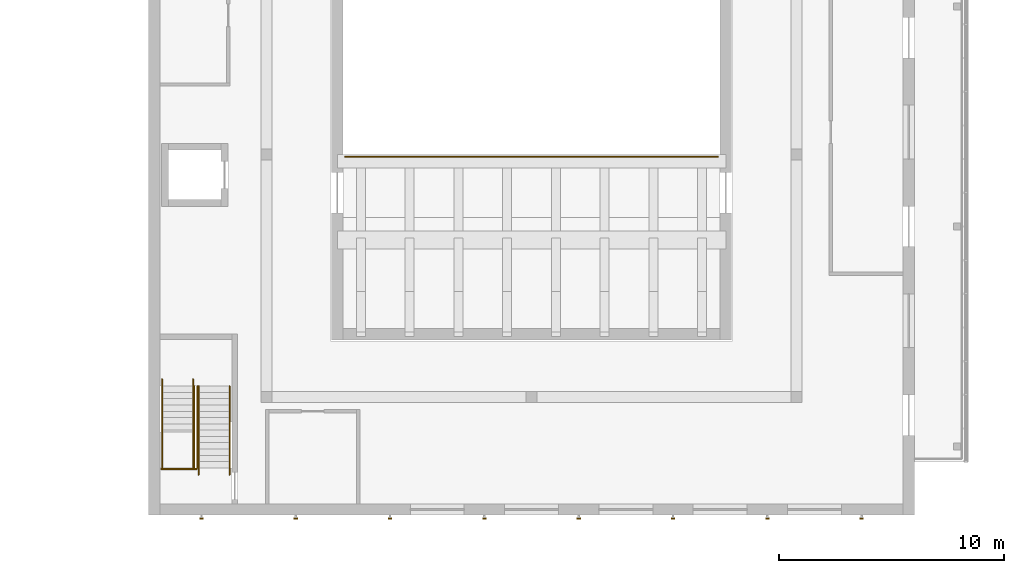
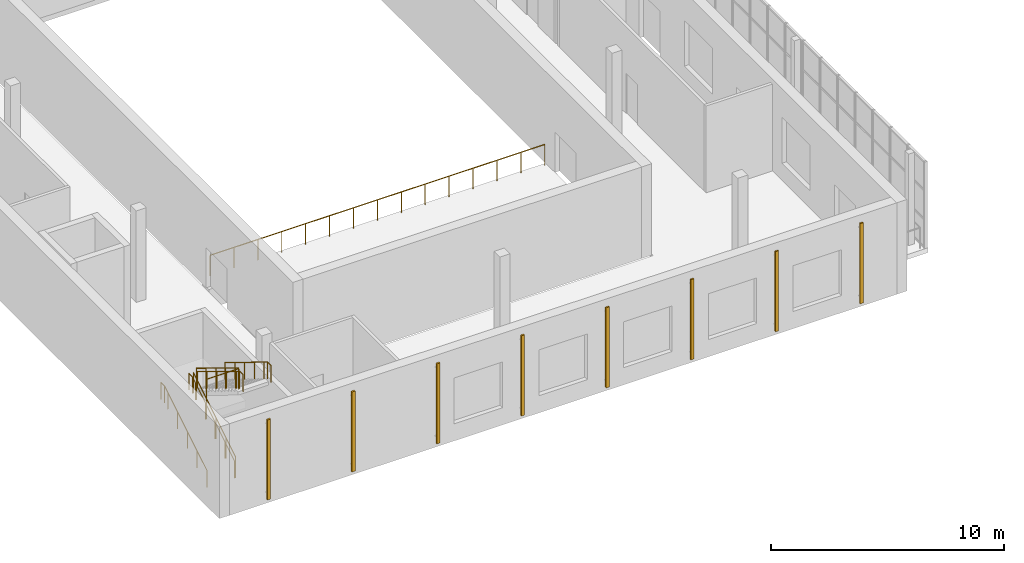
# One storey, part 107 of 127: 8 railings, 8 shading devices.
"""IFC4 building model written with IfcOpenShell, lengths in metres."""

from ifc_helpers import new_model, si_unit, direction, frame, origin, origin_2d, place, context, subcontext, project, spatial, rectangle, circle, extrude, material, type_object, element, save


model = new_model("IFC4")

# Units and contexts
model_context = context("Model", 3, precision=1e-05, world=origin(), true_north=direction((0.0, 1.0)))
body_context = subcontext(model_context, "Body", "Model", "MODEL_VIEW")
ifc_project = project(units=[si_unit("LENGTHUNIT", "METRE"), si_unit("AREAUNIT", "SQUARE_METRE"), si_unit("VOLUMEUNIT", "CUBIC_METRE"), si_unit("PLANEANGLEUNIT", "RADIAN"), si_unit("MASSUNIT", "GRAM", prefix="KILO")], contexts=[model_context])

# Site, building, storey
site_placement = place(None, origin())
site = spatial("IfcSite", under=ifc_project, at=site_placement, CompositionType="ELEMENT")
building_placement = place(site_placement, origin())
building = spatial("IfcBuilding", under=site, at=building_placement, Name="Ljudholm Concert House", CompositionType="ELEMENT")
storey_placement = place(building_placement, frame((0.0, 0.0, 5.39990234375)))
storey = spatial("IfcBuildingStorey", under=building, at=storey_placement, Name="L01", CompositionType="ELEMENT", Elevation=5.39990234375)

# Shading devices
ifc_material_1 = material(Name="Aluminium extrusion with timber-grain PVDF finish", Category="aluminium")
shading_device_type = type_object("IfcShadingDeviceType", Name="FACADE FIN 80x160", PredefinedType="SHUTTER", material=ifc_material_1)
for number, where, z_axis, x_axis, name in (
    (1, (14.5, 3.590087890625, 0.30029296875), (0.0, 0.0, 1.0), (0.0, -1.0, 0.0), "Facade fin"),
    (2, (18.699951171875, 3.590087890625, 0.30029296875), (0.0, 0.0, 1.0), (0.0, -1.0, 0.0), "Facade fin"),
    (3, (22.89990234375, 3.590087890625, 0.30029296875), (0.0, 0.0, 1.0), (0.0, -1.0, 0.0), "Facade fin"),
    (4, (27.10009765625, 3.590087890625, 0.30029296875), (0.0, 0.0, 1.0), (0.0, -1.0, 0.0), "Facade fin"),
    (5, (31.300048828125, 3.590087890625, 0.30029296875), (0.0, 0.0, 1.0), (0.0, -1.0, 0.0), "Facade fin"),
    (6, (35.5, 3.590087890625, 0.30029296875), (0.0, 0.0, 1.0), (0.0, -1.0, 0.0), "Facade fin"),
    (7, (39.699951171875, 3.590087890625, 0.30029296875), (0.0, 0.0, 1.0), (0.0, -1.0, 0.0), "Facade fin"),
    (8, (43.89990234375, 3.590087890625, 0.30029296875), (0.0, 0.0, 1.0), (0.0, -1.0, 0.0), "Facade fin"),
):
    element("IfcShadingDevice", number, at=place(storey_placement, frame(where, z_axis=z_axis, x_axis=x_axis)), inside=storey, type_object=shading_device_type, Name=name, PredefinedType="SHUTTER", context=body_context, shape_type="SweptSolid", body=[
        extrude(rectangle(XDim=0.080078125, YDim=0.159912109375, at=origin_2d()), origin(), (0.0, 0.0, 1.0), 4.199951171875),
    ])

# Railings
ifc_material_2 = material(Name="Steel ASTM A36", Category="steel")
railing_type_1 = type_object("IfcRailingType", Name="GUARD 1100", PredefinedType="GUARDRAIL", material=ifc_material_2)
railing_1_placement = place(storey_placement, frame((14.175048828125, 5.85009765625, 0.171630859375)))
element("IfcRailing", 9, at=railing_1_placement, inside=storey, type_object=railing_type_1, Name="Guard", PredefinedType="GUARDRAIL", context=body_context, shape_type="SweptSolid", body=[
    extrude(circle(Radius=0.02490234375, at=origin_2d()), frame((0.0, 0.0, 1.0751953125), z_axis=(0.0, 0.85286482292, 0.522131778218), x_axis=(-1.0, 0.0, 0.0)), (0.0, 0.0, 1.0), 0.984619140625),
    extrude(circle(Radius=0.02490234375, at=origin_2d()), frame((0.0, 0.83984375, 1.58935546875), z_axis=(0.0, 0.852822021269, 0.522201685212), x_axis=(-1.0, 0.0, 0.0)), (0.0, 0.0, 1.0), 0.985107421875),
    extrude(circle(Radius=0.02490234375, at=origin_2d()), frame((0.0, 1.679931640625, 2.103515625), z_axis=(0.0, 0.852932391421, 0.522021393877), x_axis=(-1.0, 0.0, 0.0)), (0.0, 0.0, 1.0), 0.98486328125),
    extrude(circle(Radius=0.02490234375, at=origin_2d()), frame((0.0, 2.52001953125, 2.61767578125), z_axis=(0.0, 0.852754414843, 0.522312079092), x_axis=(-1.0, 0.0, 0.0)), (0.0, 0.0, 1.0), 0.98486328125),
    extrude(circle(Radius=0.02490234375, at=origin_2d()), frame((0.0, 3.35986328125, 3.13232421875), z_axis=(0.0, 0.852932391421, 0.522021393877), x_axis=(-1.0, 0.0, 0.0)), (0.0, 0.0, 1.0), 0.328369140625),
    extrude(circle(Radius=0.02099609375, at=origin_2d()), origin(), (0.0, 0.0, 1.0), 1.050048828125),
    extrude(circle(Radius=0.02099609375, at=origin_2d()), frame((0.0, 0.83984375, 0.51416015625)), (0.0, 0.0, 1.0), 1.050048828125),
    extrude(circle(Radius=0.02099609375, at=origin_2d()), frame((0.0, 1.679931640625, 1.028564453125)), (0.0, 0.0, 1.0), 1.050048828125),
    extrude(circle(Radius=0.02099609375, at=origin_2d()), frame((0.0, 2.52001953125, 1.542724609375)), (0.0, 0.0, 1.0), 1.050048828125),
    extrude(circle(Radius=0.02099609375, at=origin_2d()), frame((0.0, 3.35986328125, 2.05712890625)), (0.0, 0.0, 1.0), 1.050048828125),
    extrude(circle(Radius=0.02099609375, at=origin_2d()), frame((0.0, 3.639892578125, 2.228515625)), (0.0, 0.0, 1.0), 1.050048828125),
])
railing_2_placement = place(storey_placement, frame((14.324951171875, 9.489990234375, 2.571533203125)))
element("IfcRailing", 10, at=railing_2_placement, inside=storey, type_object=railing_type_1, Name="Guard", PredefinedType="GUARDRAIL", context=body_context, shape_type="SweptSolid", body=[
    extrude(circle(Radius=0.02490234375, at=origin_2d()), frame((0.0, 0.0, 1.0751953125), z_axis=(0.0, -0.852932391421, 0.522021393877), x_axis=(1.0, 0.0, 0.0)), (0.0, 0.0, 1.0), 0.98486328125),
    extrude(circle(Radius=0.02490234375, at=origin_2d()), frame((0.0, -0.840087890625, 1.58935546875), z_axis=(0.0, -0.852754414843, 0.522312079092), x_axis=(1.0, 0.0, 0.0)), (0.0, 0.0, 1.0), 0.98486328125),
    extrude(circle(Radius=0.02490234375, at=origin_2d()), frame((0.0, -1.679931640625, 2.103515625), z_axis=(0.0, -0.852822021269, 0.522201685212), x_axis=(1.0, 0.0, 0.0)), (0.0, 0.0, 1.0), 0.985107421875),
    extrude(circle(Radius=0.02490234375, at=origin_2d()), frame((0.0, -2.52001953125, 2.6181640625), z_axis=(0.0, -0.852932391421, 0.522021393877), x_axis=(1.0, 0.0, 0.0)), (0.0, 0.0, 1.0), 0.98486328125),
    extrude(circle(Radius=0.02490234375, at=origin_2d()), frame((0.0, -3.360107421875, 3.13232421875), z_axis=(0.0, -0.852729557261, 0.522352660731), x_axis=(1.0, 0.0, 0.0)), (0.0, 0.0, 1.0), 0.328125),
    extrude(circle(Radius=0.02099609375, at=origin_2d()), origin(), (0.0, 0.0, 1.0), 1.050048828125),
    extrude(circle(Radius=0.02099609375, at=origin_2d()), frame((0.0, -0.840087890625, 0.51416015625)), (0.0, 0.0, 1.0), 1.050048828125),
    extrude(circle(Radius=0.02099609375, at=origin_2d()), frame((0.0, -1.679931640625, 1.028564453125)), (0.0, 0.0, 1.0), 1.050048828125),
    extrude(circle(Radius=0.02099609375, at=origin_2d()), frame((0.0, -2.52001953125, 1.54296875)), (0.0, 0.0, 1.0), 1.050048828125),
    extrude(circle(Radius=0.02099609375, at=origin_2d()), frame((0.0, -3.360107421875, 2.05712890625)), (0.0, 0.0, 1.0), 1.050048828125),
    extrude(circle(Radius=0.02099609375, at=origin_2d()), frame((0.0, -3.639892578125, 2.228515625)), (0.0, 0.0, 1.0), 1.050048828125),
])
railing_3_placement = place(storey_placement, frame((14.300048828125, 5.800048828125, 4.800048828125)))
element("IfcRailing", 11, at=railing_3_placement, inside=storey, type_object=railing_type_1, Name="Guard", PredefinedType="GUARDRAIL", context=body_context, shape_type="SweptSolid", body=[
    extrude(circle(Radius=0.02490234375, at=origin_2d()), frame((0.0, 0.0, 1.0751953125), z_axis=(-1.0, 0.0, 0.0), x_axis=(0.0, -1.0, 0.0)), (0.0, 0.0, 1.0), 1.60009765625),
    extrude(circle(Radius=0.02099609375, at=origin_2d()), origin(), (0.0, 0.0, 1.0), 1.050048828125),
    extrude(circle(Radius=0.02099609375, at=origin_2d()), frame((-1.60009765625, 0.0, 0.0)), (0.0, 0.0, 1.0), 1.050048828125),
])
railing_4_placement = place(storey_placement, frame((20.89990234375, 19.699951171875, 0.0)))
element("IfcRailing", 12, at=railing_4_placement, inside=storey, type_object=railing_type_1, Name="Gallery guard", PredefinedType="GUARDRAIL", context=body_context, shape_type="SweptSolid", body=[
    extrude(circle(Radius=0.02490234375, at=origin_2d()), frame((0.0, 0.0, 1.0751953125), z_axis=(1.0, 0.0, 0.0), x_axis=(0.0, 1.0, 0.0)), (0.0, 0.0, 1.0), 16.60009765625),
    extrude(circle(Radius=0.02099609375, at=origin_2d()), origin(), (0.0, 0.0, 1.0), 1.050048828125),
    extrude(circle(Radius=0.02099609375, at=origin_2d()), frame((1.185791015625, 0.0, 0.0)), (0.0, 0.0, 1.0), 1.050048828125),
    extrude(circle(Radius=0.02099609375, at=origin_2d()), frame((2.371337890625, 0.0, 0.0)), (0.0, 0.0, 1.0), 1.050048828125),
    extrude(circle(Radius=0.02099609375, at=origin_2d()), frame((3.55712890625, 0.0, 0.0)), (0.0, 0.0, 1.0), 1.050048828125),
    extrude(circle(Radius=0.02099609375, at=origin_2d()), frame((4.742919921875, 0.0, 0.0)), (0.0, 0.0, 1.0), 1.050048828125),
    extrude(circle(Radius=0.02099609375, at=origin_2d()), frame((5.9287109375, 0.0, 0.0)), (0.0, 0.0, 1.0), 1.050048828125),
    extrude(circle(Radius=0.02099609375, at=origin_2d()), frame((7.1142578125, 0.0, 0.0)), (0.0, 0.0, 1.0), 1.050048828125),
    extrude(circle(Radius=0.02099609375, at=origin_2d()), frame((8.300048828125, 0.0, 0.0)), (0.0, 0.0, 1.0), 1.050048828125),
    extrude(circle(Radius=0.02099609375, at=origin_2d()), frame((9.48583984375, 0.0, 0.0)), (0.0, 0.0, 1.0), 1.050048828125),
    extrude(circle(Radius=0.02099609375, at=origin_2d()), frame((10.67138671875, 0.0, 0.0)), (0.0, 0.0, 1.0), 1.050048828125),
    extrude(circle(Radius=0.02099609375, at=origin_2d()), frame((11.857177734375, 0.0, 0.0)), (0.0, 0.0, 1.0), 1.050048828125),
    extrude(circle(Radius=0.02099609375, at=origin_2d()), frame((13.04296875, 0.0, 0.0)), (0.0, 0.0, 1.0), 1.050048828125),
    extrude(circle(Radius=0.02099609375, at=origin_2d()), frame((14.228759765625, 0.0, 0.0)), (0.0, 0.0, 1.0), 1.050048828125),
    extrude(circle(Radius=0.02099609375, at=origin_2d()), frame((15.414306640625, 0.0, 0.0)), (0.0, 0.0, 1.0), 1.050048828125),
    extrude(circle(Radius=0.02099609375, at=origin_2d()), frame((16.60009765625, 0.0, 0.0)), (0.0, 0.0, 1.0), 1.050048828125),
])
ifc_material_3 = material(Name="Steel ASTM A36", Category="steel")
railing_type_2 = type_object("IfcRailingType", Name="HANDRAIL 900", PredefinedType="HANDRAIL", material=ifc_material_3)
railing_5_placement = place(storey_placement, frame((12.75, 5.85009765625, 0.171630859375)))
element("IfcRailing", 13, at=railing_5_placement, inside=storey, type_object=railing_type_2, Name="Handrail", PredefinedType="HANDRAIL", context=body_context, shape_type="SweptSolid", body=[
    extrude(circle(Radius=0.0224609375, at=origin_2d()), frame((0.0, 0.0, 0.87744140625), z_axis=(0.0, 0.85286482292, 0.522131778218), x_axis=(-1.0, 0.0, 0.0)), (0.0, 0.0, 1.0), 0.984619140625),
    extrude(circle(Radius=0.0224609375, at=origin_2d()), frame((0.0, 0.83984375, 1.3916015625), z_axis=(0.0, 0.852822021269, 0.522201685212), x_axis=(-1.0, 0.0, 0.0)), (0.0, 0.0, 1.0), 0.985107421875),
    extrude(circle(Radius=0.0224609375, at=origin_2d()), frame((0.0, 1.679931640625, 1.906005859375), z_axis=(0.0, 0.852932391421, 0.522021393877), x_axis=(-1.0, 0.0, 0.0)), (0.0, 0.0, 1.0), 0.98486328125),
    extrude(circle(Radius=0.0224609375, at=origin_2d()), frame((0.0, 2.52001953125, 2.420166015625), z_axis=(0.0, 0.852754414843, 0.522312079092), x_axis=(-1.0, 0.0, 0.0)), (0.0, 0.0, 1.0), 0.98486328125),
    extrude(circle(Radius=0.0224609375, at=origin_2d()), frame((0.0, 3.35986328125, 2.9345703125), z_axis=(0.0, 0.852932391421, 0.522021393877), x_axis=(-1.0, 0.0, 0.0)), (0.0, 0.0, 1.0), 0.328369140625),
    extrude(circle(Radius=0.0224609375, at=origin_2d()), frame((0.0, 3.639892578125, 3.10595703125), z_axis=(0.0, 1.0, 0.0), x_axis=(-1.0, 0.0, 0.0)), (0.0, 0.0, 1.0), 0.300048828125),
    extrude(circle(Radius=0.02099609375, at=origin_2d()), origin(), (0.0, 0.0, 1.0), 0.85498046875),
    extrude(circle(Radius=0.02099609375, at=origin_2d()), frame((0.0, 0.83984375, 0.51416015625)), (0.0, 0.0, 1.0), 0.85498046875),
    extrude(circle(Radius=0.02099609375, at=origin_2d()), frame((0.0, 1.679931640625, 1.028564453125)), (0.0, 0.0, 1.0), 0.85498046875),
    extrude(circle(Radius=0.02099609375, at=origin_2d()), frame((0.0, 2.52001953125, 1.542724609375)), (0.0, 0.0, 1.0), 0.85498046875),
    extrude(circle(Radius=0.02099609375, at=origin_2d()), frame((0.0, 3.35986328125, 2.05712890625)), (0.0, 0.0, 1.0), 0.85498046875),
    extrude(circle(Radius=0.02099609375, at=origin_2d()), frame((0.0, 3.639892578125, 2.228515625)), (0.0, 0.0, 1.0), 0.85498046875),
    extrude(circle(Radius=0.02099609375, at=origin_2d()), frame((0.0, 3.93994140625, 2.228515625)), (0.0, 0.0, 1.0), 0.85498046875),
])
railing_6_placement = place(storey_placement, frame((14.125, 5.85009765625, 0.171630859375)))
element("IfcRailing", 14, at=railing_6_placement, inside=storey, type_object=railing_type_2, Name="Handrail", PredefinedType="HANDRAIL", context=body_context, shape_type="SweptSolid", body=[
    extrude(circle(Radius=0.0224609375, at=origin_2d()), frame((0.0, 0.0, 0.87744140625), z_axis=(0.0, 0.85286482292, 0.522131778218), x_axis=(-1.0, 0.0, 0.0)), (0.0, 0.0, 1.0), 0.984619140625),
    extrude(circle(Radius=0.0224609375, at=origin_2d()), frame((0.0, 0.83984375, 1.3916015625), z_axis=(0.0, 0.852822021269, 0.522201685212), x_axis=(-1.0, 0.0, 0.0)), (0.0, 0.0, 1.0), 0.985107421875),
    extrude(circle(Radius=0.0224609375, at=origin_2d()), frame((0.0, 1.679931640625, 1.906005859375), z_axis=(0.0, 0.852932391421, 0.522021393877), x_axis=(-1.0, 0.0, 0.0)), (0.0, 0.0, 1.0), 0.98486328125),
    extrude(circle(Radius=0.0224609375, at=origin_2d()), frame((0.0, 2.52001953125, 2.420166015625), z_axis=(0.0, 0.852754414843, 0.522312079092), x_axis=(-1.0, 0.0, 0.0)), (0.0, 0.0, 1.0), 0.98486328125),
    extrude(circle(Radius=0.0224609375, at=origin_2d()), frame((0.0, 3.35986328125, 2.9345703125), z_axis=(0.0, 0.852932391421, 0.522021393877), x_axis=(-1.0, 0.0, 0.0)), (0.0, 0.0, 1.0), 0.328369140625),
    extrude(circle(Radius=0.0224609375, at=origin_2d()), frame((0.0, 3.639892578125, 3.10595703125), z_axis=(0.0, 1.0, 0.0), x_axis=(-1.0, 0.0, 0.0)), (0.0, 0.0, 1.0), 0.300048828125),
    extrude(circle(Radius=0.02099609375, at=origin_2d()), origin(), (0.0, 0.0, 1.0), 0.85498046875),
    extrude(circle(Radius=0.02099609375, at=origin_2d()), frame((0.0, 0.83984375, 0.51416015625)), (0.0, 0.0, 1.0), 0.85498046875),
    extrude(circle(Radius=0.02099609375, at=origin_2d()), frame((0.0, 1.679931640625, 1.028564453125)), (0.0, 0.0, 1.0), 0.85498046875),
    extrude(circle(Radius=0.02099609375, at=origin_2d()), frame((0.0, 2.52001953125, 1.542724609375)), (0.0, 0.0, 1.0), 0.85498046875),
    extrude(circle(Radius=0.02099609375, at=origin_2d()), frame((0.0, 3.35986328125, 2.05712890625)), (0.0, 0.0, 1.0), 0.85498046875),
    extrude(circle(Radius=0.02099609375, at=origin_2d()), frame((0.0, 3.639892578125, 2.228515625)), (0.0, 0.0, 1.0), 0.85498046875),
    extrude(circle(Radius=0.02099609375, at=origin_2d()), frame((0.0, 3.93994140625, 2.228515625)), (0.0, 0.0, 1.0), 0.85498046875),
])
railing_7_placement = place(storey_placement, frame((15.75, 9.489990234375, 2.571533203125)))
element("IfcRailing", 15, at=railing_7_placement, inside=storey, type_object=railing_type_2, Name="Handrail", PredefinedType="HANDRAIL", context=body_context, shape_type="SweptSolid", body=[
    extrude(circle(Radius=0.0224609375, at=origin_2d()), frame((0.0, 0.0, 0.87744140625), z_axis=(0.0, -0.852932391421, 0.522021393877), x_axis=(1.0, 0.0, 0.0)), (0.0, 0.0, 1.0), 0.98486328125),
    extrude(circle(Radius=0.0224609375, at=origin_2d()), frame((0.0, -0.840087890625, 1.3916015625), z_axis=(0.0, -0.852754414843, 0.522312079092), x_axis=(1.0, 0.0, 0.0)), (0.0, 0.0, 1.0), 0.98486328125),
    extrude(circle(Radius=0.0224609375, at=origin_2d()), frame((0.0, -1.679931640625, 1.906005859375), z_axis=(0.0, -0.852822021269, 0.522201685212), x_axis=(1.0, 0.0, 0.0)), (0.0, 0.0, 1.0), 0.985107421875),
    extrude(circle(Radius=0.0224609375, at=origin_2d()), frame((0.0, -2.52001953125, 2.42041015625), z_axis=(0.0, -0.852932391421, 0.522021393877), x_axis=(1.0, 0.0, 0.0)), (0.0, 0.0, 1.0), 0.98486328125),
    extrude(circle(Radius=0.0224609375, at=origin_2d()), frame((0.0, -3.360107421875, 2.9345703125), z_axis=(0.0, -0.852729557261, 0.522352660731), x_axis=(1.0, 0.0, 0.0)), (0.0, 0.0, 1.0), 0.328125),
    extrude(circle(Radius=0.0224609375, at=origin_2d()), frame((0.0, -3.639892578125, 3.10595703125), z_axis=(0.0, -1.0, 0.0), x_axis=(1.0, 0.0, 0.0)), (0.0, 0.0, 1.0), 0.300048828125),
    extrude(circle(Radius=0.02099609375, at=origin_2d()), origin(), (0.0, 0.0, 1.0), 0.85498046875),
    extrude(circle(Radius=0.02099609375, at=origin_2d()), frame((0.0, -0.840087890625, 0.51416015625)), (0.0, 0.0, 1.0), 0.85498046875),
    extrude(circle(Radius=0.02099609375, at=origin_2d()), frame((0.0, -1.679931640625, 1.028564453125)), (0.0, 0.0, 1.0), 0.85498046875),
    extrude(circle(Radius=0.02099609375, at=origin_2d()), frame((0.0, -2.52001953125, 1.54296875)), (0.0, 0.0, 1.0), 0.85498046875),
    extrude(circle(Radius=0.02099609375, at=origin_2d()), frame((0.0, -3.360107421875, 2.05712890625)), (0.0, 0.0, 1.0), 0.85498046875),
    extrude(circle(Radius=0.02099609375, at=origin_2d()), frame((0.0, -3.639892578125, 2.228515625)), (0.0, 0.0, 1.0), 0.85498046875),
    extrude(circle(Radius=0.02099609375, at=origin_2d()), frame((0.0, -3.93994140625, 2.228515625)), (0.0, 0.0, 1.0), 0.85498046875),
])
railing_8_placement = place(storey_placement, frame((14.375, 9.489990234375, 2.571533203125)))
element("IfcRailing", 16, at=railing_8_placement, inside=storey, type_object=railing_type_2, Name="Handrail", PredefinedType="HANDRAIL", context=body_context, shape_type="SweptSolid", body=[
    extrude(circle(Radius=0.0224609375, at=origin_2d()), frame((0.0, 0.0, 0.87744140625), z_axis=(0.0, -0.852932391421, 0.522021393877), x_axis=(1.0, 0.0, 0.0)), (0.0, 0.0, 1.0), 0.98486328125),
    extrude(circle(Radius=0.0224609375, at=origin_2d()), frame((0.0, -0.840087890625, 1.3916015625), z_axis=(0.0, -0.852754414843, 0.522312079092), x_axis=(1.0, 0.0, 0.0)), (0.0, 0.0, 1.0), 0.98486328125),
    extrude(circle(Radius=0.0224609375, at=origin_2d()), frame((0.0, -1.679931640625, 1.906005859375), z_axis=(0.0, -0.852822021269, 0.522201685212), x_axis=(1.0, 0.0, 0.0)), (0.0, 0.0, 1.0), 0.985107421875),
    extrude(circle(Radius=0.0224609375, at=origin_2d()), frame((0.0, -2.52001953125, 2.42041015625), z_axis=(0.0, -0.852932391421, 0.522021393877), x_axis=(1.0, 0.0, 0.0)), (0.0, 0.0, 1.0), 0.98486328125),
    extrude(circle(Radius=0.0224609375, at=origin_2d()), frame((0.0, -3.360107421875, 2.9345703125), z_axis=(0.0, -0.852729557261, 0.522352660731), x_axis=(1.0, 0.0, 0.0)), (0.0, 0.0, 1.0), 0.328125),
    extrude(circle(Radius=0.0224609375, at=origin_2d()), frame((0.0, -3.639892578125, 3.10595703125), z_axis=(0.0, -1.0, 0.0), x_axis=(1.0, 0.0, 0.0)), (0.0, 0.0, 1.0), 0.300048828125),
    extrude(circle(Radius=0.02099609375, at=origin_2d()), origin(), (0.0, 0.0, 1.0), 0.85498046875),
    extrude(circle(Radius=0.02099609375, at=origin_2d()), frame((0.0, -0.840087890625, 0.51416015625)), (0.0, 0.0, 1.0), 0.85498046875),
    extrude(circle(Radius=0.02099609375, at=origin_2d()), frame((0.0, -1.679931640625, 1.028564453125)), (0.0, 0.0, 1.0), 0.85498046875),
    extrude(circle(Radius=0.02099609375, at=origin_2d()), frame((0.0, -2.52001953125, 1.54296875)), (0.0, 0.0, 1.0), 0.85498046875),
    extrude(circle(Radius=0.02099609375, at=origin_2d()), frame((0.0, -3.360107421875, 2.05712890625)), (0.0, 0.0, 1.0), 0.85498046875),
    extrude(circle(Radius=0.02099609375, at=origin_2d()), frame((0.0, -3.639892578125, 2.228515625)), (0.0, 0.0, 1.0), 0.85498046875),
    extrude(circle(Radius=0.02099609375, at=origin_2d()), frame((0.0, -3.93994140625, 2.228515625)), (0.0, 0.0, 1.0), 0.85498046875),
])

save(model, "model.ifc")
